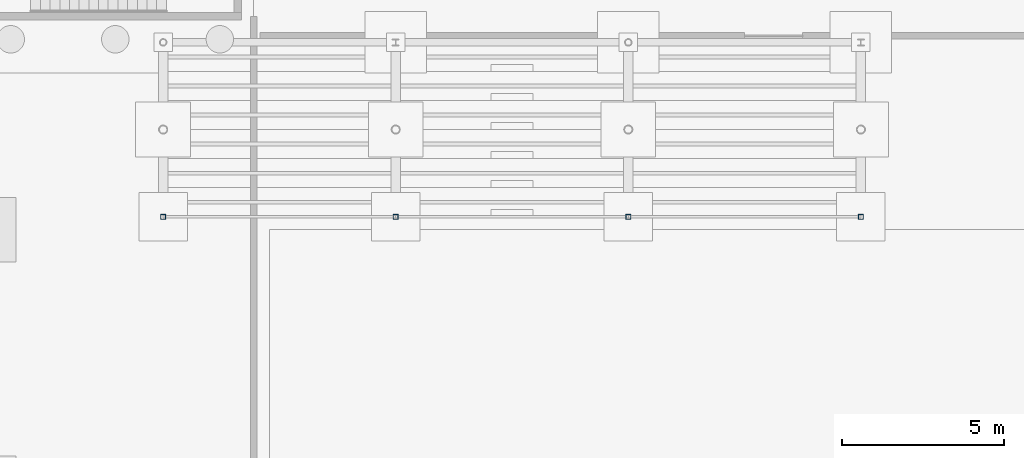
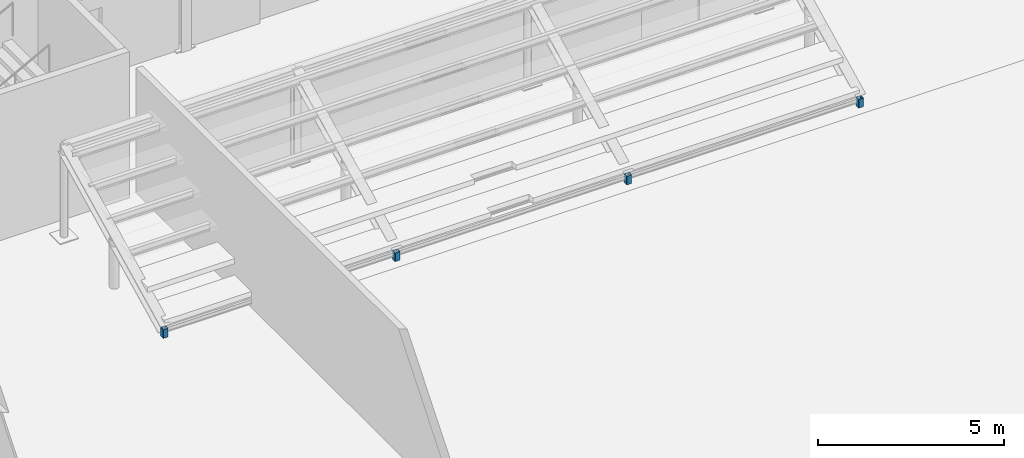
# One storey, part 28 of 101: 4 columns.
"""IFC4 building model written with IfcOpenShell, lengths in metres."""

from ifc_helpers import new_model, si_unit, derived_unit, direction, frame, origin, origin_2d, place, context, subcontext, project, spatial, hollow_rectangle, extrude, material, material_profile, profile_set, type_object, element, save


model = new_model("IFC4")

# Units and contexts
model_context = context("Model", 3, precision=1e-05, world=origin(), true_north=direction((0.0, 1.0)))
body_context = subcontext(model_context, "Body", "Model", "MODEL_VIEW")
ifc_project = project(units=[si_unit("LENGTHUNIT", "METRE"), si_unit("AREAUNIT", "SQUARE_METRE"), si_unit("VOLUMEUNIT", "CUBIC_METRE"), si_unit("PLANEANGLEUNIT", "RADIAN"), si_unit("MASSUNIT", "GRAM", prefix="KILO"), derived_unit("THERMALTRANSMITTANCEUNIT", [(si_unit("POWERUNIT", "WATT"), 1), (si_unit("LENGTHUNIT", "METRE"), -2), (si_unit("THERMODYNAMICTEMPERATUREUNIT", "KELVIN"), -1)])], contexts=[model_context])

# Site, building, storey
site_placement = place(None, origin())
site = spatial("IfcSite", under=ifc_project, at=site_placement, CompositionType="ELEMENT")
building_placement = place(site_placement, origin())
building = spatial("IfcBuilding", under=site, at=building_placement, Name="Keldorne Ridge Multi-Sports Centre", CompositionType="ELEMENT")
storey_placement = place(building_placement, origin())
storey = spatial("IfcBuildingStorey", under=building, at=storey_placement, Name="L00", CompositionType="ELEMENT", Elevation=0.0)

# Columns
ifc_material = material(Name="Steel S355", Category="steel")
ifc_material_profile = material_profile(ifc_material, hollow_rectangle(XDim=0.159912109375, YDim=0.159912109375, WallThickness=0.010009765625, InnerFilletRadius=0.010009765625, OuterFilletRadius=0.02001953125, at=origin_2d()), Name="SHS 160x160x10")
ifc_profile_set = profile_set([ifc_material_profile], Name="Steel S355")
column_type = type_object("IfcColumnType", Name="COL-C-40", PredefinedType="COLUMN", material=ifc_profile_set)
for number, where, z_axis, x_axis, name in (
    (1, (13.199951171875, 42.39990234375, 0.0), (0.0, 0.0, 1.0), (1.0, 0.0, 0.0), "Structural column V1-STDFRT-NORTH-01 on L00"),
    (2, (20.39990234375, 42.39990234375, 0.0), (0.0, 0.0, 1.0), (1.0, 0.0, 0.0), "Structural column V1-STDFRT-NORTH-02 on L00"),
    (3, (27.60009765625, 42.39990234375, 0.0), (0.0, 0.0, 1.0), (1.0, 0.0, 0.0), "Structural column V1-STDFRT-NORTH-03 on L00"),
    (4, (34.800048828125, 42.39990234375, 0.0), (0.0, 0.0, 1.0), (1.0, 0.0, 0.0), "Structural column V1-STDFRT-NORTH-04 on L00"),
):
    element("IfcColumn", number, at=place(storey_placement, frame(where, z_axis=z_axis, x_axis=x_axis)), inside=storey, type_object=column_type, Name=name, PredefinedType="COLUMN", context=body_context, shape_type="SweptSolid", body=[
        extrude(hollow_rectangle(XDim=0.159912109375, YDim=0.159912109375, WallThickness=0.010009765625, InnerFilletRadius=0.010009765625, OuterFilletRadius=0.02001953125, at=origin_2d()), origin(), (0.0, 0.0, 1.0), 0.280029296875),
    ])

save(model, "model.ifc")
